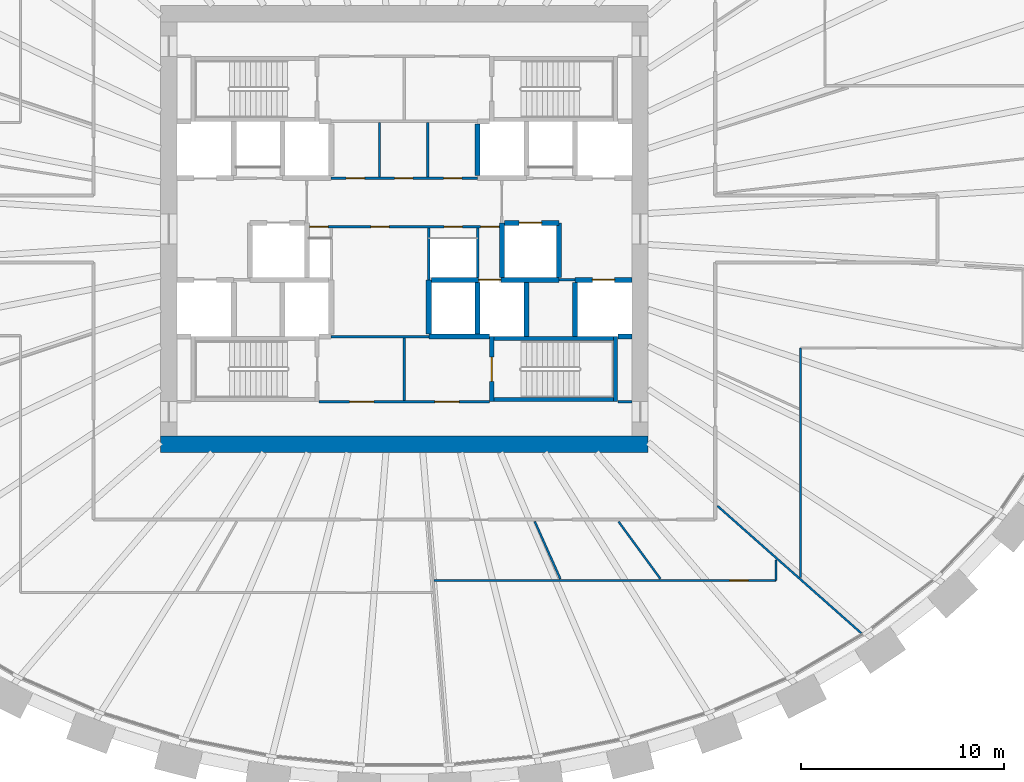
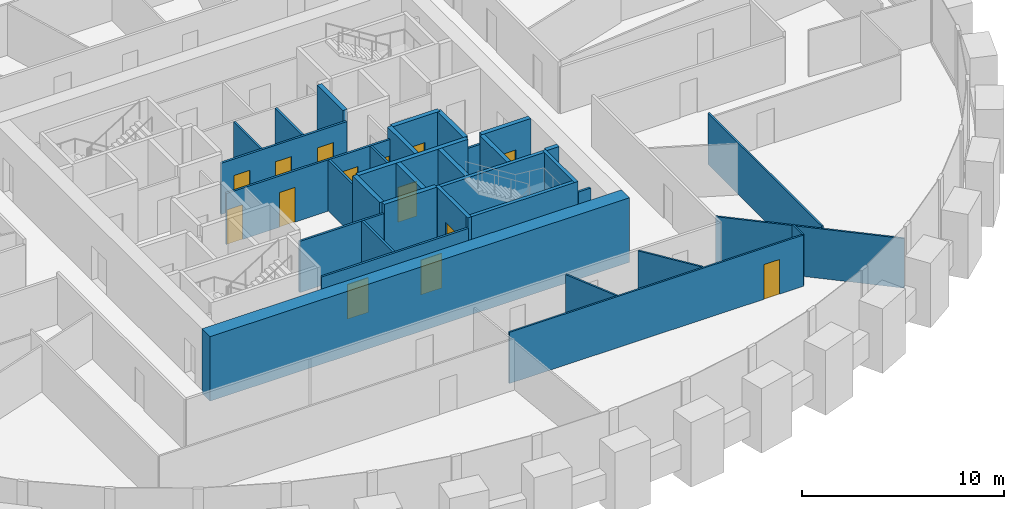
# One storey, part 7 of 11: 34 walls, 14 doors, 14 openings.
"""IFC4 building model written with IfcOpenShell, lengths in metres."""

import ifcopenshell
import ifcopenshell.guid

model = None  # the IFC model being written
_history = None  # IfcOwnerHistory: only IFC2X3 demands one
_inside = {}  # id of a spatial element -> (the spatial element, [elements in it])
_under = {}  # id of a project, library or spatial element -> (it, [spatial elements below it])
_declared = {}  # id of a project -> (the project, [libraries it declares])
_typed = {}  # id of a type object -> (the type object, [elements of that type])
_made_of = {}  # id of a material, layer set ... -> (it, [elements and type objects made of it])


def new_model(schema):
    """Start an empty IFC model of exactly this schema.

    Asked for "IFC4X3", IfcOpenShell would pick the latest addendum, in which some entities
    have other attributes; the version numbers below select the first issue.
    IFC2X3 requires an IfcOwnerHistory on every rooted entity: one is made here for all.
    """
    global model, _history
    if schema == "IFC4X3":
        model = ifcopenshell.file(schema_version=(4, 3, 0, 0))
    else:
        model = ifcopenshell.file(schema=schema)
    _inside.clear()
    _under.clear()
    _declared.clear()
    _typed.clear()
    _made_of.clear()
    _history = None
    if model.schema == "IFC2X3":
        org = make("IfcOrganization", Name="unknown")
        user = make(
            "IfcPersonAndOrganization",
            ThePerson=make("IfcPerson", FamilyName="unknown"),
            TheOrganization=org,
        )
        app = make(
            "IfcApplication",
            ApplicationDeveloper=org,
            Version="unknown",
            ApplicationFullName="unknown",
            ApplicationIdentifier="unknown",
        )
        _history = make(
            "IfcOwnerHistory",
            OwningUser=user,
            OwningApplication=app,
            ChangeAction="ADDED",
            CreationDate=0,
        )
    return model


def make(cls, **values):
    """One entity of the class cls with the attributes given. An attribute that is None is left unset."""
    return model.create_entity(
        cls, **{name: value for name, value in values.items() if value is not None}
    )


def rooted(cls, **values):
    """An entity with a GlobalId (a new one), such as an element, a storey or a relation."""
    return make(cls, GlobalId=ifcopenshell.guid.new(), OwnerHistory=_history, **values)


def si_unit(unit_type, name, prefix=None):
    """IfcSIUnit, for example si_unit("LENGTHUNIT", "METRE", prefix="MILLI")."""
    return make("IfcSIUnit", UnitType=unit_type, Prefix=prefix, Name=name)


def assignment(units):
    """IfcUnitAssignment: the units of a project."""
    return None if units is None else make("IfcUnitAssignment", Units=units)


def point(xyz):
    """IfcCartesianPoint."""
    return None if xyz is None else make("IfcCartesianPoint", Coordinates=xyz)


def direction(xyz):
    """IfcDirection."""
    return None if xyz is None else make("IfcDirection", DirectionRatios=xyz)


def frame(location, z_axis=None, x_axis=None):
    """IfcAxis2Placement3D, a coordinate frame: its origin and axes. An axis left out is left unset."""
    return make(
        "IfcAxis2Placement3D",
        Location=point(location),
        Axis=direction(z_axis),
        RefDirection=direction(x_axis),
    )


def frame_2d(location, x_axis=None):
    """IfcAxis2Placement2D, a coordinate frame in the plane: its origin and x axis."""
    return make(
        "IfcAxis2Placement2D", Location=point(location), RefDirection=direction(x_axis)
    )


def origin():
    """The frame at (0, 0, 0) with its axes left unset."""
    return frame((0.0, 0.0, 0.0))


def place(relative_to, where):
    """IfcLocalPlacement: puts the frame where relative to a parent placement (None: the world)."""
    return make(
        "IfcLocalPlacement", PlacementRelTo=relative_to, RelativePlacement=where
    )


def context(
    kind, dimensions, precision=None, world=None, true_north=None, identifier=None
):
    """IfcGeometricRepresentationContext, for example the 3D "Model" context."""
    return make(
        "IfcGeometricRepresentationContext",
        ContextIdentifier=identifier,
        ContextType=kind,
        CoordinateSpaceDimension=dimensions,
        Precision=precision,
        WorldCoordinateSystem=world,
        TrueNorth=true_north,
    )


def subcontext(parent, identifier, kind, view, scale=None):
    """IfcGeometricRepresentationSubContext, for example "Body" below "Model"."""
    return make(
        "IfcGeometricRepresentationSubContext",
        ContextIdentifier=identifier,
        ContextType=kind,
        ParentContext=parent,
        TargetScale=scale,
        TargetView=view,
    )


def project(units=None, contexts=None):
    """IfcProject with its units and contexts."""
    return rooted(
        "IfcProject",
        Name="project",
        RepresentationContexts=contexts,
        UnitsInContext=assignment(units),
    )


def spatial(cls, under=None, at=None, **own):
    """A site, building, storey or space (cls), placed at a placement, below another one or the project."""
    s = rooted(cls, ObjectPlacement=at, **own)
    if under is not None:
        _under.setdefault(under.id(), (under, []))[1].append(s)
    return s


def profile(cls, at=None, kind="AREA", **sizes):
    """A parametric profile (cls). Its sizes go by their IFC names, for example OverallWidth=200.0."""
    return make(cls, ProfileType=kind, Position=at, **sizes)


def rectangle(**sizes):
    """IfcRectangleProfileDef."""
    return profile("IfcRectangleProfileDef", **sizes)


def extrude(swept, where, along, depth):
    """IfcExtrudedAreaSolid: the profile swept, set in the frame where, extruded along a direction by depth."""
    return make(
        "IfcExtrudedAreaSolid",
        SweptArea=swept,
        Position=where,
        ExtrudedDirection=direction(along),
        Depth=depth,
    )


def shape(context_of_items, identifier, shape_type, items):
    """IfcShapeRepresentation: the items that make up one representation, for example the "Body"."""
    return make(
        "IfcShapeRepresentation",
        ContextOfItems=context_of_items,
        RepresentationIdentifier=identifier,
        RepresentationType=shape_type,
        Items=items,
    )


def source(mapping_origin, context_of_items, identifier, shape_type, items):
    """IfcRepresentationMap: a shape defined once, which mapped items show again and again."""
    return make(
        "IfcRepresentationMap",
        MappingOrigin=mapping_origin,
        MappedRepresentation=shape(context_of_items, identifier, shape_type, items),
    )


def transform(
    local_origin,
    x_axis=None,
    y_axis=None,
    z_axis=None,
    scale=None,
    scale2=None,
    scale3=None,
    uniform=True,
):
    """IfcCartesianTransformationOperator3D, or its non-uniform kind. x_axis, y_axis, z_axis: its Axis1, 2, 3."""
    if uniform:
        return make(
            "IfcCartesianTransformationOperator3D",
            Axis1=direction(x_axis),
            Axis2=direction(y_axis),
            LocalOrigin=point(local_origin),
            Scale=scale,
            Axis3=direction(z_axis),
        )
    return make(
        "IfcCartesianTransformationOperator3DnonUniform",
        Axis1=direction(x_axis),
        Axis2=direction(y_axis),
        LocalOrigin=point(local_origin),
        Scale=scale,
        Axis3=direction(z_axis),
        Scale2=scale2,
        Scale3=scale3,
    )


def mapped(mapping_source, mapping_target):
    """IfcMappedItem: shows the shape of a source again, moved by a transform."""
    return make(
        "IfcMappedItem", MappingSource=mapping_source, MappingTarget=mapping_target
    )


def material(Name=None, Category=None):
    """IfcMaterial."""
    return make("IfcMaterial", Name=Name, Category=Category)


def layer(
    of_material, thickness, ventilated=None, Name=None, Category=None, Priority=None
):
    """IfcMaterialLayer: one layer of a wall or slab, of a material (None: an air gap)."""
    return make(
        "IfcMaterialLayer",
        Material=of_material,
        LayerThickness=thickness,
        IsVentilated=ventilated,
        Name=Name,
        Category=Category,
        Priority=Priority,
    )


def layer_set(layers, Name=None):
    """IfcMaterialLayerSet."""
    return make("IfcMaterialLayerSet", MaterialLayers=layers, LayerSetName=Name)


def made_of(thing, what):
    """Note that an element or type object is made of a material, layer set ...; save() writes the relation."""
    if what is not None:
        _made_of.setdefault(what.id(), (what, []))[1].append(thing)
    return thing


def type_object(cls, material=None, **own):
    """A type object (cls), such as IfcWallType, which elements share."""
    return made_of(rooted(cls, **own), material)


def element(
    cls,
    number,
    at=None,
    inside=None,
    cuts=None,
    type_object=None,
    material=None,
    context=None,
    identifier="Body",
    shape_type=None,
    held_by="IfcProductDefinitionShape",
    body=None,
    shapes=None,
    **own,
):
    """One element of the class cls, such as IfcWall. Its Tag is "e" and its number.

    at: its placement. inside: the storey or other place that contains it. cuts: it is an
    opening in that element (IfcRelVoidsElement). A single representation is given by context,
    identifier, shape_type and body (its items); several are given by shapes. held_by: the class
    of the entity that holds the representations. save() writes the other relations.
    """
    e = rooted(cls, Tag="e%d" % number, ObjectPlacement=at, **own)
    if body is not None:
        shapes = [shape(context, identifier, shape_type, body)]
    if shapes is not None:
        e.Representation = make(held_by, Representations=shapes)
    if inside is not None:
        _inside.setdefault(inside.id(), (inside, []))[1].append(e)
    if cuts is not None:
        rooted(
            "IfcRelVoidsElement", RelatingBuildingElement=cuts, RelatedOpeningElement=e
        )
    if type_object is not None:
        _typed.setdefault(type_object.id(), (type_object, []))[1].append(e)
    return made_of(e, material)


def fill(opening, filler):
    """IfcRelFillsElement: the door or window that sits in an opening."""
    return rooted(
        "IfcRelFillsElement",
        RelatingOpeningElement=opening,
        RelatedBuildingElement=filler,
    )


def aggregate(whole, parts):
    """IfcRelAggregates: a whole, such as a stair, and the parts it consists of."""
    return rooted("IfcRelAggregates", RelatingObject=whole, RelatedObjects=parts)


def save(model, path):
    """Write the relations noted so far, then the file.

    IfcRelAggregates (storeys below a building ...), IfcRelContainedInSpatialStructure (elements
    in a storey), IfcRelDefinesByType, IfcRelAssociatesMaterial and IfcRelDeclares: one each for
    every whole, place, type object, material and project.
    """
    for whole, parts in _under.values():
        aggregate(whole, parts)
    for where, things in _inside.values():
        rooted(
            "IfcRelContainedInSpatialStructure",
            RelatedElements=things,
            RelatingStructure=where,
        )
    for kind, things in _typed.values():
        rooted("IfcRelDefinesByType", RelatedObjects=things, RelatingType=kind)
    for what, things in _made_of.values():
        rooted("IfcRelAssociatesMaterial", RelatedObjects=things, RelatingMaterial=what)
    for by, libraries in _declared.values():
        rooted("IfcRelDeclares", RelatingContext=by, RelatedDefinitions=libraries)
    model.write(path)


model = new_model("IFC4")

# Units and contexts
model_context = context("Model", 3, precision=1e-05, world=origin(), true_north=direction((0.0, 1.0)))
body_context = subcontext(model_context, "Body", "Model", "MODEL_VIEW")
ifc_project = project(units=[si_unit("LENGTHUNIT", "METRE"), si_unit("AREAUNIT", "SQUARE_METRE"), si_unit("VOLUMEUNIT", "CUBIC_METRE"), si_unit("PLANEANGLEUNIT", "RADIAN"), si_unit("MASSUNIT", "GRAM", prefix="KILO")], contexts=[model_context])

# Site, building, storey
site_placement = place(None, origin())
site = spatial("IfcSite", under=ifc_project, at=site_placement, CompositionType="ELEMENT")
building_placement = place(site_placement, origin())
building = spatial("IfcBuilding", under=site, at=building_placement, Name="Embergate Tower", CompositionType="ELEMENT")
storey_placement = place(building_placement, frame((0.0, 0.0, 211.199951171875)))
storey = spatial("IfcBuildingStorey", under=building, at=storey_placement, Name="L48", CompositionType="ELEMENT", Elevation=211.199951171875)

# Walls
ifc_material_1 = material(Name="Concrete C70", Category="concrete")
ifc_layer_1 = layer(ifc_material_1, 0.800048828125)
ifc_layer_set_1 = layer_set([ifc_layer_1], Name="Concrete C70")
wall_type_1 = type_object("IfcWallType", Name="Core outer wall C70 800", PredefinedType="SHEAR", material=ifc_layer_set_1)
shared_shape_1 = source(origin(), body_context, "Body", "SweptSolid", [
    extrude(rectangle(XDim=24.0, YDim=0.800048828125, at=frame_2d((12.0, 0.0))), origin(), (0.0, 0.0, 1.0), 3.89990234375),
])
wall_1_placement = place(storey_placement, frame((-12.0, -10.60009765625, -0.199951171875), z_axis=(0.0, 0.0, 1.0), x_axis=(1.0, 0.0, 0.0)))
element("IfcWall", 1, at=wall_1_placement, inside=storey, type_object=wall_type_1, Name="CW-L48-S", PredefinedType="SHEAR", context=body_context, shape_type="MappedRepresentation", body=[
    mapped(shared_shape_1, transform((0.0, 0.0, 0.0))),
])
ifc_material_2 = material(Name="Concrete C50", Category="concrete")
ifc_layer_2 = layer(ifc_material_2, 0.25)
ifc_layer_set_2 = layer_set([ifc_layer_2], Name="Concrete C50")
wall_type_2 = type_object("IfcWallType", Name="Hoistway wall reinforced concrete 250", PredefinedType="SHEAR", material=ifc_layer_set_2)
shared_shape_2 = source(origin(), body_context, "Body", "SweptSolid", [
    extrude(rectangle(XDim=2.675048828125, YDim=0.25, at=frame_2d((1.33740234375, 0.0))), origin(), (0.0, 0.0, 1.0), 3.699951171875),
])
for number, where, z_axis, x_axis, name in (
    (2, (1.199951171875, -2.5, 0.0), (0.0, 0.0, 1.0), (0.0, -1.0, 0.0), "HW-1 wall"),
    (3, (4.800048828125, -2.375, 0.0), (0.0, 0.0, 1.0), (0.0, 1.0, 0.0), "HW-1 wall"),
):
    element("IfcWall", number, at=place(storey_placement, frame(where, z_axis=z_axis, x_axis=x_axis)), inside=storey, type_object=wall_type_2, Name=name, PredefinedType="SHEAR", context=body_context, shape_type="MappedRepresentation", body=[
        mapped(shared_shape_2, transform((0.0, 0.0, 0.0))),
    ])

# Wall, opening, door
wall_2_placement = place(storey_placement, frame((7.60009765625, 0.300048828125, 0.0), z_axis=(0.0, 0.0, 1.0), x_axis=(-1.0, 0.0, 0.0)))
wall_2 = element("IfcWall", 4, at=wall_2_placement, inside=storey, type_object=wall_type_2, Name="HW-1 wall", PredefinedType="SHEAR", context=body_context, shape_type="MappedRepresentation", body=[
    mapped(shared_shape_2, transform((0.0, 0.0, 0.0))),
])
shared_shape_3 = source(origin(), body_context, "Body", "SweptSolid", [
    extrude(rectangle(XDim=1.10009765625, YDim=2.10009765625, at=frame_2d((0.550048828125, 1.050048828125))), frame((0.0, 0.135009765625, 0.0), z_axis=(0.0, -1.0, 0.0), x_axis=(1.0, 0.0, 0.0)), (0.0, 0.0, 1.0), 0.27001953125),
])
opening_1_placement = place(wall_2_placement, frame((0.85009765625, 0.0, 0.0)))
opening_1 = element("IfcOpeningElement", 5, at=opening_1_placement, cuts=wall_2, Name="Opening LD", PredefinedType="OPENING", context=body_context, shape_type="MappedRepresentation", body=[
    mapped(shared_shape_3, transform((0.0, 0.0, 0.0))),
])
ifc_material_3 = material(Name="Landing door sliding 1100")
door_type_1 = type_object("IfcDoorType", Name="Landing door sliding 1100", OperationType="SLIDING_TO_LEFT", PredefinedType="DOOR", material=ifc_material_3)
shared_shape_4 = source(origin(), body_context, "Body", "SweptSolid", [
    extrude(rectangle(XDim=1.10009765625, YDim=2.10009765625, at=frame_2d((0.550048828125, 1.050048828125))), frame((0.0, 0.02490234375, 0.0), z_axis=(0.0, -1.0, 0.0), x_axis=(1.0, 0.0, 0.0)), (0.0, 0.0, 1.0), 0.050048828125),
])
door_1_placement = place(opening_1_placement, origin())
door_1 = element("IfcDoor", 6, at=door_1_placement, inside=storey, type_object=door_type_1, Name="LD door", OperationType="SLIDING_TO_RIGHT", OverallHeight=2.10009765625, OverallWidth=1.10009765625, PredefinedType="DOOR", context=body_context, shape_type="MappedRepresentation", body=[
    mapped(shared_shape_4, transform((0.0, 0.0, 0.0))),
])
fill(opening_1, door_1)

# Walls
wall_3_placement = place(storey_placement, frame((7.60009765625, -2.375, 0.0), z_axis=(0.0, 0.0, 1.0), x_axis=(0.0, 1.0, 0.0)))
element("IfcWall", 7, at=wall_3_placement, inside=storey, type_object=wall_type_2, Name="HW-1 wall", PredefinedType="SHEAR", context=body_context, shape_type="MappedRepresentation", body=[
    mapped(shared_shape_2, transform((0.0, 0.0, 0.0))),
])
ifc_layer_3 = layer(ifc_material_2, 0.199951171875)
ifc_layer_set_3 = layer_set([ifc_layer_3], Name="Concrete C50")
wall_type_3 = type_object("IfcWallType", Name="Stair enclosure wall reinforced concrete 250", PredefinedType="SHEAR", material=ifc_layer_set_3)
shared_shape_5 = source(origin(), body_context, "Body", "SweptSolid", [
    extrude(rectangle(XDim=6.300048828125, YDim=0.199951171875, at=frame_2d((3.14990234375, 0.0))), origin(), (0.0, 0.0, 1.0), 3.699951171875),
])
for number, where, z_axis, x_axis, name in (
    (8, (4.199951171875, -5.39990234375, 0.0), (0.0, 0.0, 1.0), (1.0, 0.0, 0.0), "SE-1 wall"),
    (9, (4.199951171875, -8.39990234375, 0.0), (0.0, 0.0, 1.0), (1.0, 0.0, 0.0), "SE-1 wall"),
):
    element("IfcWall", number, at=place(storey_placement, frame(where, z_axis=z_axis, x_axis=x_axis)), inside=storey, type_object=wall_type_3, Name=name, PredefinedType="SHEAR", context=body_context, shape_type="MappedRepresentation", body=[
        mapped(shared_shape_5, transform((0.0, 0.0, 0.0))),
    ])
shared_shape_6 = source(origin(), body_context, "Body", "SweptSolid", [
    extrude(rectangle(XDim=2.550048828125, YDim=0.25, at=frame_2d((1.27490234375, 0.0))), origin(), (0.0, 0.0, 1.0), 3.699951171875),
])
for number, where, z_axis, x_axis, name in (
    (10, (3.60009765625, 5.175048828125, 0.0), (0.0, 0.0, 1.0), (0.0, -1.0, 0.0), "HW-1 wall"),
    (11, (3.60009765625, -5.175048828125, 0.0), (0.0, 0.0, 1.0), (0.0, 1.0, 0.0), "HW-1 wall"),
):
    element("IfcWall", number, at=place(storey_placement, frame(where, z_axis=z_axis, x_axis=x_axis)), inside=storey, type_object=wall_type_2, Name=name, PredefinedType="SHEAR", context=body_context, shape_type="MappedRepresentation", body=[
        mapped(shared_shape_6, transform((0.0, 0.0, 0.0))),
    ])

# Wall, opening, door
shared_shape_7 = source(origin(), body_context, "Body", "SweptSolid", [
    extrude(rectangle(XDim=3.199951171875, YDim=0.199951171875, at=frame_2d((1.60009765625, 0.0))), origin(), (0.0, 0.0, 1.0), 3.699951171875),
])
wall_4_placement = place(storey_placement, frame((4.300048828125, -5.300048828125, 0.0), z_axis=(0.0, 0.0, 1.0), x_axis=(0.0, -1.0, 0.0)))
wall_4 = element("IfcWall", 12, at=wall_4_placement, inside=storey, type_object=wall_type_3, Name="SE-1 wall", PredefinedType="SHEAR", context=body_context, shape_type="MappedRepresentation", body=[
    mapped(shared_shape_7, transform((0.0, 0.0, 0.0))),
])
shared_shape_8 = source(origin(), body_context, "Body", "SweptSolid", [
    extrude(rectangle(XDim=1.199951171875, YDim=2.10009765625, at=frame_2d((0.60009765625, 1.050048828125))), frame((0.0, 0.10986328125, 0.0), z_axis=(0.0, -1.0, 0.0), x_axis=(1.0, 0.0, 0.0)), (0.0, 0.0, 1.0), 0.219970703125),
])
opening_2_placement = place(wall_4_placement, frame((1.0, 0.0, 0.0)))
opening_2 = element("IfcOpeningElement", 13, at=opening_2_placement, cuts=wall_4, Name="Opening IF-2", PredefinedType="OPENING", context=body_context, shape_type="MappedRepresentation", body=[
    mapped(shared_shape_8, transform((0.0, 0.0, 0.0))),
])
ifc_material_4 = material(Name="Stair enclosure door 1200")
door_type_2 = type_object("IfcDoorType", Name="Stair enclosure door 1200", OperationType="SINGLE_SWING_LEFT", PredefinedType="DOOR", material=ifc_material_4)
shared_shape_9 = source(origin(), body_context, "Body", "SweptSolid", [
    extrude(rectangle(XDim=1.199951171875, YDim=2.10009765625, at=frame_2d((0.60009765625, 1.050048828125))), frame((0.0, 0.02490234375, 0.0), z_axis=(0.0, -1.0, 0.0), x_axis=(1.0, 0.0, 0.0)), (0.0, 0.0, 1.0), 0.050048828125),
])
door_2_placement = place(opening_2_placement, origin())
door_2 = element("IfcDoor", 14, at=door_2_placement, inside=storey, type_object=door_type_2, Name="IF-2 door", OperationType="SINGLE_SWING_RIGHT", OverallHeight=2.10009765625, OverallWidth=1.199951171875, PredefinedType="DOOR", context=body_context, shape_type="MappedRepresentation", body=[
    mapped(shared_shape_9, transform((0.0, 0.0, 0.0))),
])
fill(opening_2, door_2)

# Wall, openings, doors
ifc_material_5 = material(Name="Core partition blockwork 120")
ifc_layer_4 = layer(ifc_material_5, 0.1201171875)
ifc_layer_set_4 = layer_set([ifc_layer_4], Name="Core partition blockwork 120")
wall_type_4 = type_object("IfcWallType", Name="Core partition blockwork 120", PredefinedType="PARTITIONING", material=ifc_layer_set_4)
shared_shape_10 = source(origin(), body_context, "Body", "SweptSolid", [
    extrude(rectangle(XDim=8.39990234375, YDim=0.1201171875, at=frame_2d((4.199951171875, 0.0))), origin(), (0.0, 0.0, 1.0), 3.10009765625),
])
wall_5_placement = place(storey_placement, frame((-4.199951171875, -8.5, 0.0), z_axis=(0.0, 0.0, 1.0), x_axis=(1.0, 0.0, 0.0)))
wall_5 = element("IfcWall", 15, at=wall_5_placement, inside=storey, type_object=wall_type_4, Name="IP-3 wall", PredefinedType="PARTITIONING", context=body_context, shape_type="MappedRepresentation", body=[
    mapped(shared_shape_10, transform((0.0, 0.0, 0.0))),
])
shared_shape_11 = source(origin(), body_context, "Body", "SweptSolid", [
    extrude(rectangle(XDim=1.199951171875, YDim=2.10009765625, at=frame_2d((0.60009765625, 1.050048828125))), frame((0.0, 0.070068359375, 0.0), z_axis=(0.0, -1.0, 0.0), x_axis=(1.0, 0.0, 0.0)), (0.0, 0.0, 1.0), 0.14013671875),
])
opening_3_placement = place(wall_5_placement, frame((1.5, 0.0, 0.0)))
opening_3 = element("IfcOpeningElement", 16, at=opening_3_placement, cuts=wall_5, Name="Opening IF-3f", PredefinedType="OPENING", context=body_context, shape_type="MappedRepresentation", body=[
    mapped(shared_shape_11, transform((0.0, 0.0, 0.0))),
])
opening_4_placement = place(wall_5_placement, frame((5.699951171875, 0.0, 0.0)))
opening_4 = element("IfcOpeningElement", 17, at=opening_4_placement, cuts=wall_5, Name="Opening IF-3f", PredefinedType="OPENING", context=body_context, shape_type="MappedRepresentation", body=[
    mapped(shared_shape_11, transform((0.0, 0.0, 0.0))),
])
ifc_material_6 = material(Name="Lobby fire door pair 1200")
door_type_3 = type_object("IfcDoorType", Name="Lobby fire door pair 1200", OperationType="DOUBLE_DOOR_SINGLE_SWING", PredefinedType="DOOR", material=ifc_material_6)
door_3_placement = place(opening_3_placement, origin())
door_3 = element("IfcDoor", 18, at=door_3_placement, inside=storey, type_object=door_type_3, Name="IF-3 door", OperationType="DOUBLE_DOOR_SINGLE_SWING", OverallHeight=2.10009765625, OverallWidth=1.199951171875, PredefinedType="DOOR", context=body_context, shape_type="MappedRepresentation", body=[
    mapped(shared_shape_9, transform((0.0, 0.0, 0.0))),
])
fill(opening_3, door_3)
door_4_placement = place(opening_4_placement, origin())
door_4 = element("IfcDoor", 19, at=door_4_placement, inside=storey, type_object=door_type_3, Name="IF-3 door", OperationType="DOUBLE_DOOR_SINGLE_SWING", OverallHeight=2.10009765625, OverallWidth=1.199951171875, PredefinedType="DOOR", context=body_context, shape_type="MappedRepresentation", body=[
    mapped(shared_shape_9, transform((0.0, 0.0, 0.0))),
])
fill(opening_4, door_4)

# Walls
shared_shape_12 = source(origin(), body_context, "Body", "SweptSolid", [
    extrude(rectangle(XDim=2.679931640625, YDim=0.1201171875, at=frame_2d((1.33984375, 0.0))), origin(), (0.0, 0.0, 1.0), 3.10009765625),
])
for number, where, z_axis, x_axis, name in (
    (20, (-1.22412109375, 2.56005859375, 0.0), (0.0, 0.0, 1.0), (0.0, 1.0, 0.0), "IP-3 wall"),
    (21, (1.152099609375, 2.56005859375, 0.0), (0.0, 0.0, 1.0), (0.0, 1.0, 0.0), "IP-3 wall"),
):
    element("IfcWall", number, at=place(storey_placement, frame(where, z_axis=z_axis, x_axis=x_axis)), inside=storey, type_object=wall_type_4, Name=name, PredefinedType="PARTITIONING", context=body_context, shape_type="MappedRepresentation", body=[
        mapped(shared_shape_12, transform((0.0, 0.0, 0.0))),
    ])

# Wall, opening, door
shared_shape_13 = source(origin(), body_context, "Body", "SweptSolid", [
    extrude(rectangle(XDim=2.800048828125, YDim=0.25, at=frame_2d((1.39990234375, 0.0))), origin(), (0.0, 0.0, 1.0), 3.699951171875),
])
wall_6_placement = place(storey_placement, frame((11.199951171875, -2.5, 0.0), z_axis=(0.0, 0.0, 1.0), x_axis=(-1.0, 0.0, 0.0)))
wall_6 = element("IfcWall", 22, at=wall_6_placement, inside=storey, type_object=wall_type_2, Name="HW-1 wall", PredefinedType="SHEAR", context=body_context, shape_type="MappedRepresentation", body=[
    mapped(shared_shape_13, transform((0.0, 0.0, 0.0))),
])
opening_5_placement = place(wall_6_placement, frame((0.85009765625, 0.0, 0.0)))
opening_5 = element("IfcOpeningElement", 23, at=opening_5_placement, cuts=wall_6, Name="Opening LD", PredefinedType="OPENING", context=body_context, shape_type="MappedRepresentation", body=[
    mapped(shared_shape_3, transform((0.0, 0.0, 0.0))),
])
door_5_placement = place(opening_5_placement, origin())
door_5 = element("IfcDoor", 24, at=door_5_placement, inside=storey, type_object=door_type_1, Name="LD door", OperationType="SLIDING_TO_LEFT", OverallHeight=2.10009765625, OverallWidth=1.10009765625, PredefinedType="DOOR", context=body_context, shape_type="MappedRepresentation", body=[
    mapped(shared_shape_4, transform((0.0, 0.0, 0.0))),
])
fill(opening_5, door_5)

shared_shape_14 = source(origin(), body_context, "Body", "SweptSolid", [
    extrude(rectangle(XDim=6.27294921875, YDim=0.25, at=frame_2d((3.136474609375, 0.0))), origin(), (0.0, 0.0, 1.0), 3.699951171875),
])
wall_7_placement = place(storey_placement, frame((7.597900390625, -2.5, 0.0), z_axis=(0.0, 0.0, 1.0), x_axis=(-1.0, 0.0, 0.0)))
wall_7 = element("IfcWall", 25, at=wall_7_placement, inside=storey, type_object=wall_type_2, Name="HW-1 wall", PredefinedType="SHEAR", context=body_context, shape_type="MappedRepresentation", body=[
    mapped(shared_shape_14, transform((0.0, 0.0, 0.0))),
])
opening_6_placement = place(wall_7_placement, frame((2.847900390625, 0.0, 0.0)))
opening_6 = element("IfcOpeningElement", 26, at=opening_6_placement, cuts=wall_7, Name="Opening LD", PredefinedType="OPENING", context=body_context, shape_type="MappedRepresentation", body=[
    mapped(shared_shape_3, transform((0.0, 0.0, 0.0))),
])
door_6_placement = place(opening_6_placement, origin())
door_6 = element("IfcDoor", 27, at=door_6_placement, inside=storey, type_object=door_type_1, Name="LD door", OperationType="SLIDING_TO_LEFT", OverallHeight=2.10009765625, OverallWidth=1.10009765625, PredefinedType="DOOR", context=body_context, shape_type="MappedRepresentation", body=[
    mapped(shared_shape_4, transform((0.0, 0.0, 0.0))),
])
fill(opening_6, door_6)

# Wall
shared_shape_15 = source(origin(), body_context, "Body", "SweptSolid", [
    extrude(rectangle(XDim=3.0, YDim=0.25, at=frame_2d((1.5, 0.0))), origin(), (0.0, 0.0, 1.0), 3.699951171875),
])
wall_8_placement = place(storey_placement, frame((1.199951171875, -5.300048828125, 0.0), z_axis=(0.0, 0.0, 1.0), x_axis=(1.0, 0.0, 0.0)))
element("IfcWall", 28, at=wall_8_placement, inside=storey, type_object=wall_type_2, Name="HW-1 wall", PredefinedType="SHEAR", context=body_context, shape_type="MappedRepresentation", body=[
    mapped(shared_shape_15, transform((0.0, 0.0, 0.0))),
])

# Wall, openings, doors
shared_shape_16 = source(origin(), body_context, "Body", "SweptSolid", [
    extrude(rectangle(XDim=9.35009765625, YDim=0.1201171875, at=frame_2d((4.675048828125, 0.0))), origin(), (0.0, 0.0, 1.0), 3.10009765625),
])
wall_9_placement = place(storey_placement, frame((-4.675048828125, 0.10009765625, 0.0), z_axis=(0.0, 0.0, 1.0), x_axis=(1.0, 0.0, 0.0)))
wall_9 = element("IfcWall", 29, at=wall_9_placement, inside=storey, type_object=wall_type_4, Name="IP-3 wall", PredefinedType="PARTITIONING", context=body_context, shape_type="MappedRepresentation", body=[
    mapped(shared_shape_16, transform((0.0, 0.0, 0.0))),
])
shared_shape_17 = source(origin(), body_context, "Body", "SweptSolid", [
    extrude(rectangle(XDim=0.89990234375, YDim=2.10009765625, at=frame_2d((0.449951171875, 1.050048828125))), frame((0.0, 0.070068359375, 0.0), z_axis=(0.0, -1.0, 0.0), x_axis=(1.0, 0.0, 0.0)), (0.0, 0.0, 1.0), 0.14013671875),
])
opening_7_placement = place(wall_9_placement, frame((8.425048828125, 0.0, 0.0)))
opening_7 = element("IfcOpeningElement", 30, at=opening_7_placement, cuts=wall_9, Name="Opening IF-3c", PredefinedType="OPENING", context=body_context, shape_type="MappedRepresentation", body=[
    mapped(shared_shape_17, transform((0.0, 0.0, 0.0))),
])
opening_8_placement = place(wall_9_placement, frame((0.02490234375, 0.0, 0.0)))
opening_8 = element("IfcOpeningElement", 31, at=opening_8_placement, cuts=wall_9, Name="Opening ID-1", PredefinedType="OPENING", context=body_context, shape_type="MappedRepresentation", body=[
    mapped(shared_shape_17, transform((0.0, 0.0, 0.0))),
])
opening_9_placement = place(wall_9_placement, frame((6.625, 0.0, 0.0)))
opening_9 = element("IfcOpeningElement", 32, at=opening_9_placement, cuts=wall_9, Name="Opening ID-1", PredefinedType="OPENING", context=body_context, shape_type="MappedRepresentation", body=[
    mapped(shared_shape_17, transform((0.0, 0.0, 0.0))),
])
opening_10_placement = place(wall_9_placement, frame((3.02490234375, 0.0, 0.0)))
opening_10 = element("IfcOpeningElement", 33, at=opening_10_placement, cuts=wall_9, Name="Opening ID-1", PredefinedType="OPENING", context=body_context, shape_type="MappedRepresentation", body=[
    mapped(shared_shape_17, transform((0.0, 0.0, 0.0))),
])
ifc_material_7 = material(Name="Lobby fire door pair 900")
door_type_4 = type_object("IfcDoorType", Name="Lobby fire door pair 900", OperationType="DOUBLE_DOOR_SINGLE_SWING", PredefinedType="DOOR", material=ifc_material_7)
shared_shape_18 = source(origin(), body_context, "Body", "SweptSolid", [
    extrude(rectangle(XDim=0.89990234375, YDim=2.10009765625, at=frame_2d((0.449951171875, 1.050048828125))), frame((0.0, 0.02490234375, 0.0), z_axis=(0.0, -1.0, 0.0), x_axis=(1.0, 0.0, 0.0)), (0.0, 0.0, 1.0), 0.050048828125),
])
door_7_placement = place(opening_7_placement, origin())
door_7 = element("IfcDoor", 34, at=door_7_placement, inside=storey, type_object=door_type_4, Name="IF-3 door", OperationType="DOUBLE_DOOR_SINGLE_SWING", OverallHeight=2.10009765625, OverallWidth=0.89990234375, PredefinedType="DOOR", context=body_context, shape_type="MappedRepresentation", body=[
    mapped(shared_shape_18, transform((0.0, 0.0, 0.0))),
])
fill(opening_7, door_7)
ifc_material_8 = material(Name="Interior door 900")
door_type_5 = type_object("IfcDoorType", Name="Interior door 900", OperationType="SINGLE_SWING_LEFT", PredefinedType="DOOR", material=ifc_material_8)
door_8_placement = place(opening_8_placement, origin())
door_8 = element("IfcDoor", 35, at=door_8_placement, inside=storey, type_object=door_type_5, Name="ID-1 door", OperationType="SINGLE_SWING_RIGHT", OverallHeight=2.10009765625, OverallWidth=0.89990234375, PredefinedType="DOOR", context=body_context, shape_type="MappedRepresentation", body=[
    mapped(shared_shape_18, transform((0.0, 0.0, 0.0))),
])
fill(opening_8, door_8)
door_9_placement = place(opening_9_placement, origin())
door_9 = element("IfcDoor", 36, at=door_9_placement, inside=storey, type_object=door_type_5, Name="ID-1 door", OperationType="SINGLE_SWING_RIGHT", OverallHeight=2.10009765625, OverallWidth=0.89990234375, PredefinedType="DOOR", context=body_context, shape_type="MappedRepresentation", body=[
    mapped(shared_shape_18, transform((0.0, 0.0, 0.0))),
])
fill(opening_9, door_9)
door_10_placement = place(opening_10_placement, origin())
door_10 = element("IfcDoor", 37, at=door_10_placement, inside=storey, type_object=door_type_5, Name="ID-1 door", OperationType="SINGLE_SWING_LEFT", OverallHeight=2.10009765625, OverallWidth=0.89990234375, PredefinedType="DOOR", context=body_context, shape_type="MappedRepresentation", body=[
    mapped(shared_shape_18, transform((0.0, 0.0, 0.0))),
])
fill(opening_10, door_10)

shared_shape_19 = source(origin(), body_context, "Body", "SweptSolid", [
    extrude(rectangle(XDim=7.2001953125, YDim=0.1201171875, at=frame_2d((3.60009765625, 0.0))), origin(), (0.0, 0.0, 1.0), 3.10009765625),
])
wall_10_placement = place(storey_placement, frame((3.60009765625, 2.5, 0.0), z_axis=(0.0, 0.0, 1.0), x_axis=(-1.0, 0.0, 0.0)))
wall_10 = element("IfcWall", 38, at=wall_10_placement, inside=storey, type_object=wall_type_4, Name="IP-3 wall", PredefinedType="PARTITIONING", context=body_context, shape_type="MappedRepresentation", body=[
    mapped(shared_shape_19, transform((0.0, 0.0, 0.0))),
])
opening_11_placement = place(wall_10_placement, frame((5.56201171875, 0.0, 0.0)))
opening_11 = element("IfcOpeningElement", 39, at=opening_11_placement, cuts=wall_10, Name="Opening ID-1", PredefinedType="OPENING", context=body_context, shape_type="MappedRepresentation", body=[
    mapped(shared_shape_17, transform((0.0, 0.0, 0.0))),
])
opening_12_placement = place(wall_10_placement, frame((3.18603515625, 0.0, 0.0)))
opening_12 = element("IfcOpeningElement", 40, at=opening_12_placement, cuts=wall_10, Name="Opening ID-1", PredefinedType="OPENING", context=body_context, shape_type="MappedRepresentation", body=[
    mapped(shared_shape_17, transform((0.0, 0.0, 0.0))),
])
opening_13_placement = place(wall_10_placement, frame((0.77392578125, 0.0, 0.0)))
opening_13 = element("IfcOpeningElement", 41, at=opening_13_placement, cuts=wall_10, Name="Opening ID-1", PredefinedType="OPENING", context=body_context, shape_type="MappedRepresentation", body=[
    mapped(shared_shape_17, transform((0.0, 0.0, 0.0))),
])
door_11_placement = place(opening_11_placement, origin())
door_11 = element("IfcDoor", 42, at=door_11_placement, inside=storey, type_object=door_type_5, Name="ID-1 door", OperationType="SINGLE_SWING_RIGHT", OverallHeight=2.10009765625, OverallWidth=0.89990234375, PredefinedType="DOOR", context=body_context, shape_type="MappedRepresentation", body=[
    mapped(shared_shape_18, transform((0.0, 0.0, 0.0))),
])
fill(opening_11, door_11)
door_12_placement = place(opening_12_placement, origin())
door_12 = element("IfcDoor", 43, at=door_12_placement, inside=storey, type_object=door_type_5, Name="ID-1 door", OperationType="SINGLE_SWING_RIGHT", OverallHeight=2.10009765625, OverallWidth=0.89990234375, PredefinedType="DOOR", context=body_context, shape_type="MappedRepresentation", body=[
    mapped(shared_shape_18, transform((0.0, 0.0, 0.0))),
])
fill(opening_12, door_12)
door_13_placement = place(opening_13_placement, origin())
door_13 = element("IfcDoor", 44, at=door_13_placement, inside=storey, type_object=door_type_5, Name="ID-1 door", OperationType="SINGLE_SWING_LEFT", OverallHeight=2.10009765625, OverallWidth=0.89990234375, PredefinedType="DOOR", context=body_context, shape_type="MappedRepresentation", body=[
    mapped(shared_shape_18, transform((0.0, 0.0, 0.0))),
])
fill(opening_13, door_13)

# Walls
shared_shape_20 = source(origin(), body_context, "Body", "SweptSolid", [
    extrude(rectangle(XDim=2.5400390625, YDim=0.1201171875, at=frame_2d((1.27001953125, 0.0))), origin(), (0.0, 0.0, 1.0), 3.10009765625),
])
wall_11_placement = place(storey_placement, frame((1.199951171875, 0.0400390625, 0.0), z_axis=(0.0, 0.0, 1.0), x_axis=(0.0, -1.0, 0.0)))
element("IfcWall", 45, at=wall_11_placement, inside=storey, type_object=wall_type_4, Name="IP-3 wall", PredefinedType="PARTITIONING", context=body_context, shape_type="MappedRepresentation", body=[
    mapped(shared_shape_20, transform((0.0, 0.0, 0.0))),
])
shared_shape_21 = source(origin(), body_context, "Body", "SweptSolid", [
    extrude(rectangle(XDim=2.4150390625, YDim=0.1201171875, at=frame_2d((1.20751953125, 0.0))), origin(), (0.0, 0.0, 1.0), 3.10009765625),
])
wall_12_placement = place(storey_placement, frame((3.60009765625, -2.375, 0.0), z_axis=(0.0, 0.0, 1.0), x_axis=(0.0, 1.0, 0.0)))
element("IfcWall", 46, at=wall_12_placement, inside=storey, type_object=wall_type_4, Name="IP-3 wall", PredefinedType="PARTITIONING", context=body_context, shape_type="MappedRepresentation", body=[
    mapped(shared_shape_21, transform((0.0, 0.0, 0.0))),
])
shared_shape_22 = source(origin(), body_context, "Body", "SweptSolid", [
    extrude(rectangle(XDim=3.079833984375, YDim=0.1201171875, at=frame_2d((1.5400390625, 0.0))), origin(), (0.0, 0.0, 1.0), 3.10009765625),
])
wall_13_placement = place(storey_placement, frame((0.0, -8.43994140625, 0.0), z_axis=(0.0, 0.0, 1.0), x_axis=(0.0, 1.0, 0.0)))
element("IfcWall", 47, at=wall_13_placement, inside=storey, type_object=wall_type_4, Name="IP-3 wall", PredefinedType="PARTITIONING", context=body_context, shape_type="MappedRepresentation", body=[
    mapped(shared_shape_22, transform((0.0, 0.0, 0.0))),
])
shared_shape_23 = source(origin(), body_context, "Body", "SweptSolid", [
    extrude(rectangle(XDim=4.800048828125, YDim=0.1201171875, at=frame_2d((2.39990234375, 0.0))), origin(), (0.0, 0.0, 1.0), 3.10009765625),
])
wall_14_placement = place(storey_placement, frame((1.199951171875, -5.300048828125, 0.0), z_axis=(0.0, 0.0, 1.0), x_axis=(-1.0, 0.0, 0.0)))
element("IfcWall", 48, at=wall_14_placement, inside=storey, type_object=wall_type_4, Name="IP-3 wall", PredefinedType="PARTITIONING", context=body_context, shape_type="MappedRepresentation", body=[
    mapped(shared_shape_23, transform((0.0, 0.0, 0.0))),
])
shared_shape_24 = source(origin(), body_context, "Body", "SweptSolid", [
    extrude(rectangle(XDim=3.196044921875, YDim=0.199951171875, at=frame_2d((1.59814453125, 0.0))), origin(), (0.0, 0.0, 1.0), 3.699951171875),
])
wall_15_placement = place(storey_placement, frame((10.39990234375, -8.498046875, 0.0), z_axis=(0.0, 0.0, 1.0), x_axis=(0.0, 1.0, 0.0)))
element("IfcWall", 49, at=wall_15_placement, inside=storey, type_object=wall_type_3, Name="SE-1 wall", PredefinedType="SHEAR", context=body_context, shape_type="MappedRepresentation", body=[
    mapped(shared_shape_24, transform((0.0, 0.0, 0.0))),
])
shared_shape_25 = source(origin(), body_context, "Body", "SweptSolid", [
    extrude(rectangle(XDim=0.697998046875, YDim=0.25, at=frame_2d((0.34912109375, 0.0))), origin(), (0.0, 0.0, 1.0), 3.699951171875),
])
wall_16_placement = place(storey_placement, frame((10.501953125, -5.300048828125, 0.0), z_axis=(0.0, 0.0, 1.0), x_axis=(1.0, 0.0, 0.0)))
element("IfcWall", 50, at=wall_16_placement, inside=storey, type_object=wall_type_2, Name="HW-1 wall", PredefinedType="SHEAR", context=body_context, shape_type="MappedRepresentation", body=[
    mapped(shared_shape_25, transform((0.0, 0.0, 0.0))),
])
shared_shape_26 = source(origin(), body_context, "Body", "SweptSolid", [
    extrude(rectangle(XDim=2.671142578125, YDim=0.25, at=frame_2d((1.33544921875, 0.0))), origin(), (0.0, 0.0, 1.0), 3.699951171875),
])
for number, where, z_axis, x_axis, name in (
    (51, (6.0, -5.298095703125, 0.0), (0.0, 0.0, 1.0), (0.0, 1.0, 0.0), "HW-1 wall"),
    (52, (8.39990234375, -2.626953125, 0.0), (0.0, 0.0, 1.0), (0.0, -1.0, 0.0), "HW-1 wall"),
):
    element("IfcWall", number, at=place(storey_placement, frame(where, z_axis=z_axis, x_axis=x_axis)), inside=storey, type_object=wall_type_2, Name=name, PredefinedType="SHEAR", context=body_context, shape_type="MappedRepresentation", body=[
        mapped(shared_shape_26, transform((0.0, 0.0, 0.0))),
    ])
shared_shape_27 = source(origin(), body_context, "Body", "SweptSolid", [
    extrude(rectangle(XDim=0.7958984375, YDim=0.1201171875, at=frame_2d((0.39794921875, 0.0))), origin(), (0.0, 0.0, 1.0), 3.10009765625),
])
wall_17_placement = place(storey_placement, frame((7.60205078125, -2.5, 0.0), z_axis=(0.0, 0.0, 1.0), x_axis=(1.0, 0.0, 0.0)))
element("IfcWall", 53, at=wall_17_placement, inside=storey, type_object=wall_type_4, Name="IP-3 wall", PredefinedType="PARTITIONING", context=body_context, shape_type="MappedRepresentation", body=[
    mapped(shared_shape_27, transform((0.0, 0.0, 0.0))),
])
shared_shape_28 = source(origin(), body_context, "Body", "SweptSolid", [
    extrude(rectangle(XDim=0.697998046875, YDim=0.1201171875, at=frame_2d((0.34912109375, 0.0))), origin(), (0.0, 0.0, 1.0), 3.10009765625),
])
wall_18_placement = place(storey_placement, frame((11.199951171875, -8.5, 0.0), z_axis=(0.0, 0.0, 1.0), x_axis=(-1.0, 0.0, 0.0)))
element("IfcWall", 54, at=wall_18_placement, inside=storey, type_object=wall_type_4, Name="IP-3 wall", PredefinedType="PARTITIONING", context=body_context, shape_type="MappedRepresentation", body=[
    mapped(shared_shape_28, transform((0.0, 0.0, 0.0))),
])
ifc_material_9 = material(Name="Partition dry-lined 100 wet")
ifc_layer_5 = layer(ifc_material_9, 0.10009765625)
ifc_layer_set_5 = layer_set([ifc_layer_5], Name="Partition dry-lined 100 wet")
wall_type_5 = type_object("IfcWallType", Name="Partition dry-lined 100 wet", PredefinedType="PLUMBINGWALL", material=ifc_layer_set_5)
shared_shape_29 = source(origin(), body_context, "Body", "SweptSolid", [
    extrude(rectangle(XDim=3.10400390625, YDim=0.10009765625, at=frame_2d((1.552001953125, 0.0))), origin(), (0.0, 0.0, 1.0), 3.10009765625),
])
wall_19_placement = place(storey_placement, frame((6.416015625, -14.39501953125, 0.0), z_axis=(0.0, 0.0, 1.0), x_axis=(0.407196385875, -0.913340628315, 0.0)))
element("IfcWall", 55, at=wall_19_placement, inside=storey, type_object=wall_type_5, Name="IP-1 wall", PredefinedType="PLUMBINGWALL", context=body_context, shape_type="MappedRepresentation", body=[
    mapped(shared_shape_29, transform((0.0, 0.0, 0.0))),
])

# Wall, opening, door
shared_shape_30 = source(origin(), body_context, "Body", "SweptSolid", [
    extrude(rectangle(XDim=16.8359375, YDim=0.10009765625, at=frame_2d((8.41796875, 0.0))), origin(), (0.0, 0.0, 1.0), 3.10009765625),
])
wall_20_placement = place(storey_placement, frame((1.464111328125, -17.300048828125, 0.0), z_axis=(0.0, 0.0, 1.0), x_axis=(1.0, 0.0, 0.0)))
wall_20 = element("IfcWall", 56, at=wall_20_placement, inside=storey, type_object=wall_type_5, Name="IP-1 wall", PredefinedType="PLUMBINGWALL", context=body_context, shape_type="MappedRepresentation", body=[
    mapped(shared_shape_30, transform((0.0, 0.0, 0.0))),
])
shared_shape_31 = source(origin(), body_context, "Body", "SweptSolid", [
    extrude(rectangle(XDim=0.89990234375, YDim=2.10009765625, at=frame_2d((0.449951171875, 1.050048828125))), frame((0.0, 0.06005859375, 0.0), z_axis=(0.0, -1.0, 0.0), x_axis=(1.0, 0.0, 0.0)), (0.0, 0.0, 1.0), 0.1201171875),
])
opening_14_placement = place(wall_20_placement, frame((14.560302734375, 0.0, 0.0)))
opening_14 = element("IfcOpeningElement", 57, at=opening_14_placement, cuts=wall_20, Name="Opening ID-1", PredefinedType="OPENING", context=body_context, shape_type="MappedRepresentation", body=[
    mapped(shared_shape_31, transform((0.0, 0.0, 0.0))),
])
door_14_placement = place(opening_14_placement, origin())
door_14 = element("IfcDoor", 58, at=door_14_placement, inside=storey, type_object=door_type_5, Name="ID-1 door", OperationType="SINGLE_SWING_RIGHT", OverallHeight=2.10009765625, OverallWidth=0.89990234375, PredefinedType="DOOR", context=body_context, shape_type="MappedRepresentation", body=[
    mapped(shared_shape_18, transform((0.0, 0.0, 0.0))),
])
fill(opening_14, door_14)

# Walls
shared_shape_32 = source(origin(), body_context, "Body", "SweptSolid", [
    extrude(rectangle(XDim=3.489501953125, YDim=0.10009765625, at=frame_2d((1.74462890625, 0.0))), origin(), (0.0, 0.0, 1.0), 3.10009765625),
])
wall_21_placement = place(storey_placement, frame((10.5419921875, -14.405029296875, 0.0), z_axis=(0.0, 0.0, 1.0), x_axis=(0.590623348937, -0.806947371078, 0.0)))
element("IfcWall", 59, at=wall_21_placement, inside=storey, type_object=wall_type_5, Name="IP-1 wall", PredefinedType="PLUMBINGWALL", context=body_context, shape_type="MappedRepresentation", body=[
    mapped(shared_shape_32, transform((0.0, 0.0, 0.0))),
])
shared_shape_33 = source(origin(), body_context, "Body", "SweptSolid", [
    extrude(rectangle(XDim=1.0, YDim=0.10009765625, at=frame_2d((0.5, 0.0))), origin(), (0.0, 0.0, 1.0), 3.10009765625),
])
wall_22_placement = place(storey_placement, frame((18.300048828125, -17.300048828125, 0.0), z_axis=(0.0, 0.0, 1.0), x_axis=(0.0, 1.0, 0.0)))
element("IfcWall", 60, at=wall_22_placement, inside=storey, type_object=wall_type_5, Name="IP-1 wall", PredefinedType="PLUMBINGWALL", context=body_context, shape_type="MappedRepresentation", body=[
    mapped(shared_shape_33, transform((0.0, 0.0, 0.0))),
])
shared_shape_34 = source(origin(), body_context, "Body", "SweptSolid", [
    extrude(rectangle(XDim=9.54833984375, YDim=0.10009765625, at=frame_2d((4.774169921875, 0.0))), origin(), (0.0, 0.0, 1.0), 3.0),
])
wall_23_placement = place(storey_placement, frame((22.56005859375, -19.95703125, 0.0), z_axis=(0.0, 0.0, 1.0), x_axis=(-0.749044876426, 0.662519262437, 0.0)))
element("IfcWall", 61, at=wall_23_placement, inside=storey, type_object=wall_type_5, Name="IP-1 wall", PredefinedType="PLUMBINGWALL", context=body_context, shape_type="MappedRepresentation", body=[
    mapped(shared_shape_34, transform((0.0, 0.0, 0.0))),
])
ifc_material_10 = material(Name="Partition dry-lined 100")
ifc_layer_6 = layer(ifc_material_10, 0.10009765625)
ifc_layer_set_6 = layer_set([ifc_layer_6], Name="Partition dry-lined 100")
wall_type_6 = type_object("IfcWallType", Name="Partition dry-lined 100", PredefinedType="PARTITIONING", material=ifc_layer_set_6)
shared_shape_35 = source(origin(), body_context, "Body", "SweptSolid", [
    extrude(rectangle(XDim=11.289794921875, YDim=0.10009765625, at=frame_2d((5.64501953125, 0.0))), origin(), (0.0, 0.0, 1.0), 3.10009765625),
])
wall_24_placement = place(storey_placement, frame((19.5, -5.85009765625, 0.0), z_axis=(0.0, 0.0, 1.0), x_axis=(0.0, -1.0, 0.0)))
element("IfcWall", 62, at=wall_24_placement, inside=storey, type_object=wall_type_6, Name="IP-1 wall", PredefinedType="PARTITIONING", context=body_context, shape_type="MappedRepresentation", body=[
    mapped(shared_shape_35, transform((0.0, 0.0, 0.0))),
])

save(model, "model.ifc")
